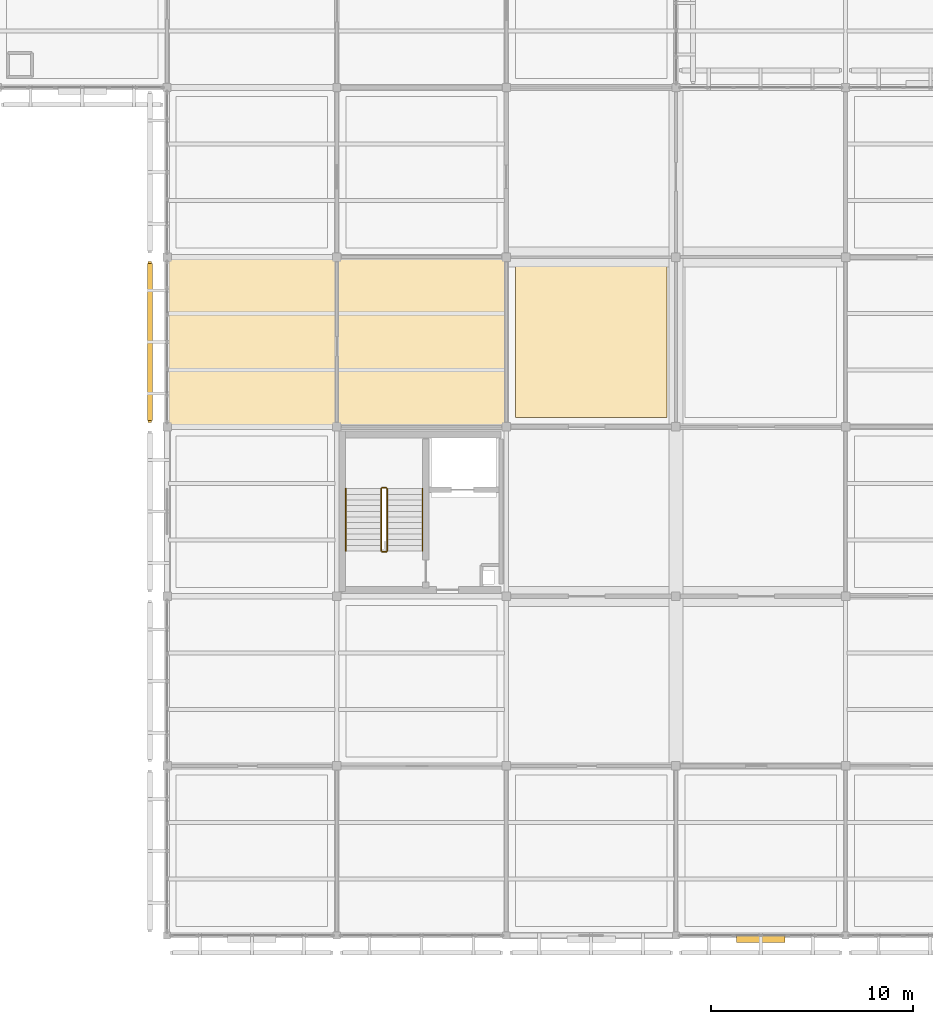
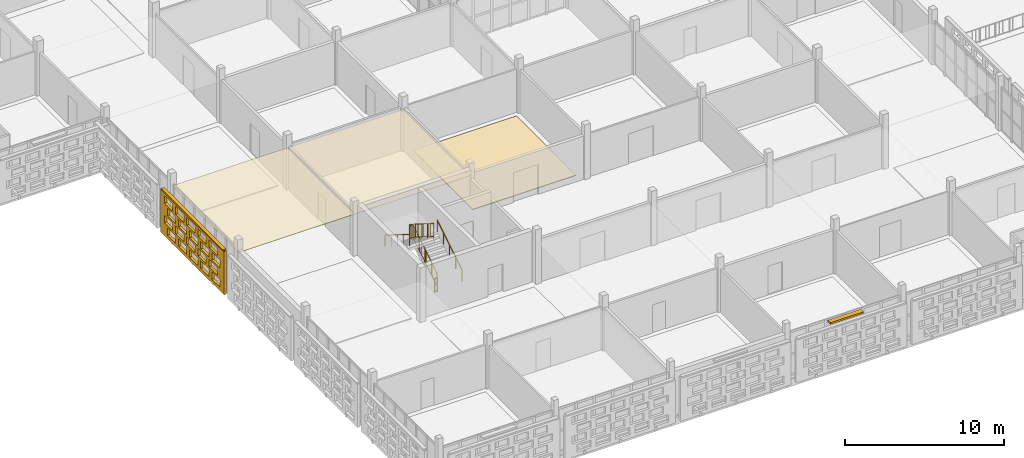
# One storey, part 115 of 166: 6 railings, 4 coverings, 2 shading devices, 20 openings.
"""IFC4 building model written with IfcOpenShell, lengths in metres."""

from ifc_helpers import new_model, si_unit, direction, frame, frame_2d, origin, origin_2d, place, context, subcontext, project, spatial, rectangle, circle, extrude, material, layer, layer_set, type_object, element, save


model = new_model("IFC4")

# Units and contexts
model_context = context("Model", 3, precision=1e-05, world=origin(), true_north=direction((0.0, 1.0)))
body_context = subcontext(model_context, "Body", "Model", "MODEL_VIEW")
ifc_project = project(units=[si_unit("LENGTHUNIT", "METRE"), si_unit("AREAUNIT", "SQUARE_METRE"), si_unit("VOLUMEUNIT", "CUBIC_METRE"), si_unit("PLANEANGLEUNIT", "RADIAN"), si_unit("MASSUNIT", "GRAM", prefix="KILO")], contexts=[model_context])

# Site, building, storey
site_placement = place(None, origin())
site = spatial("IfcSite", under=ifc_project, at=site_placement, CompositionType="ELEMENT")
building_placement = place(site_placement, origin())
building = spatial("IfcBuilding", under=site, at=building_placement, Name="Varnapada Polytechnic", CompositionType="ELEMENT")
storey_placement = place(building_placement, frame((0.0, 0.0, 9.60009765625)))
storey = spatial("IfcBuildingStorey", under=building, at=storey_placement, Name="L02", CompositionType="ELEMENT", Elevation=9.60009765625)

# Covering
ifc_material_1 = material(Name="End-Grain Timber Studio Block Flooring", Category="wood")
ifc_layer_1 = layer(ifc_material_1, 0.054931640625)
ifc_layer_set_1 = layer_set([ifc_layer_1], Name="End-Grain Timber Studio Block Flooring")
covering_type_1 = type_object("IfcCoveringType", Name="Floor Finish FLR-04", PredefinedType="FLOORING", material=ifc_layer_set_1)
covering_1_placement = place(storey_placement, frame((29.39990234375, 29.39990234375, 0.0), z_axis=(0.0, 0.0, 1.0), x_axis=(1.0, 0.0, 0.0)))
element("IfcCovering", 1, at=covering_1_placement, inside=storey, type_object=covering_type_1, Name="L02 floor finish panel (4,4)", PredefinedType="FLOORING", context=body_context, shape_type="SweptSolid", body=[
    extrude(rectangle(XDim=7.5, YDim=7.5, at=origin_2d()), origin(), (0.0, 0.0, 1.0), 0.054931640625),
])

# Shading device
ifc_material_2 = material(Name="Anodised aluminium", Category="aluminium")
ifc_layer_2 = layer(ifc_material_2, 0.35009765625)
ifc_layer_set_2 = layer_set([ifc_layer_2], Name="Anodised aluminium")
shading_device_type_1 = type_object("IfcShadingDeviceType", Name="Solar Louvre LVR-01", PredefinedType="JALOUSIE", material=ifc_layer_set_2)
shading_device_1_placement = place(storey_placement, frame((37.800048828125, -0.179931640625, 3.159912109375), z_axis=(0.0, 0.0, 1.0), x_axis=(-1.0, 0.0, 0.0)))
element("IfcShadingDevice", 2, at=shading_device_1_placement, inside=storey, type_object=shading_device_type_1, Name="L02 aluminium sun louvre 34", PredefinedType="JALOUSIE", context=body_context, shape_type="SweptSolid", body=[
    extrude(rectangle(XDim=2.39990234375, YDim=0.340087890625, at=origin_2d()), origin(), (0.0, 0.0, 1.0), 0.1201171875),
])

# Railings
ifc_material_3 = material(Name="Brushed Stainless Steel 316", Category="steel")
railing_type_1 = type_object("IfcRailingType", Name="Stair Wall Handrail SHR-01", PredefinedType="HANDRAIL", material=ifc_material_3)
railing_1_placement = place(storey_placement, frame((21.050048828125, 19.050048828125, 0.1748046875)))
element("IfcRailing", 3, at=railing_1_placement, inside=storey, type_object=railing_type_1, Name="L02 ST-3 stair handrail 1", PredefinedType="HANDRAIL", context=body_context, shape_type="SweptSolid", body=[
    extrude(circle(Radius=0.02392578125, at=origin_2d()), frame((0.0, 0.0, 0.8759765625), z_axis=(0.0, 0.847979421464, 0.530029150871), x_axis=(-1.0, 0.0, 0.0)), (0.0, 0.0, 1.0), 3.632080078125),
    extrude(circle(Radius=0.02099609375, at=origin_2d()), origin(), (0.0, 0.0, 1.0), 0.851806640625),
    extrude(circle(Radius=0.02099609375, at=origin_2d()), frame((0.0, 0.77001953125, 0.481201171875)), (0.0, 0.0, 1.0), 0.851806640625),
    extrude(circle(Radius=0.02099609375, at=origin_2d()), frame((0.0, 1.5400390625, 0.96240234375)), (0.0, 0.0, 1.0), 0.851806640625),
    extrude(circle(Radius=0.02099609375, at=origin_2d()), frame((0.0, 2.309814453125, 1.44384765625)), (0.0, 0.0, 1.0), 0.851806640625),
    extrude(circle(Radius=0.02099609375, at=origin_2d()), frame((0.0, 3.079833984375, 1.925048828125)), (0.0, 0.0, 1.0), 0.851806640625),
])
railing_2_placement = place(storey_placement, frame((17.25, 22.1298828125, 2.27490234375)))
element("IfcRailing", 4, at=railing_2_placement, inside=storey, type_object=railing_type_1, Name="L02 ST-3 stair handrail 2", PredefinedType="HANDRAIL", context=body_context, shape_type="SweptSolid", body=[
    extrude(circle(Radius=0.02392578125, at=origin_2d()), frame((0.0, 0.0, 0.8759765625), z_axis=(0.0, -0.847979421464, 0.530029150871), x_axis=(1.0, 0.0, 0.0)), (0.0, 0.0, 1.0), 3.632080078125),
    extrude(circle(Radius=0.02099609375, at=origin_2d()), origin(), (0.0, 0.0, 1.0), 0.851806640625),
    extrude(circle(Radius=0.02099609375, at=origin_2d()), frame((0.0, -0.77001953125, 0.481201171875)), (0.0, 0.0, 1.0), 0.851806640625),
    extrude(circle(Radius=0.02099609375, at=origin_2d()), frame((0.0, -1.5400390625, 0.96240234375)), (0.0, 0.0, 1.0), 0.851806640625),
    extrude(circle(Radius=0.02099609375, at=origin_2d()), frame((0.0, -2.309814453125, 1.44384765625)), (0.0, 0.0, 1.0), 0.851806640625),
    extrude(circle(Radius=0.02099609375, at=origin_2d()), frame((0.0, -3.079833984375, 1.925048828125)), (0.0, 0.0, 1.0), 0.851806640625),
])
railing_type_2 = type_object("IfcRailingType", Name="Stair Well Guard Rail SGR-01", PredefinedType="BALUSTRADE", material=ifc_material_3)
railing_3_placement = place(storey_placement, frame((19.300048828125, 19.050048828125, 0.1748046875)))
element("IfcRailing", 5, at=railing_3_placement, inside=storey, type_object=railing_type_2, Name="L02 ST-3 stair guard 1", PredefinedType="BALUSTRADE", context=body_context, shape_type="SweptSolid", body=[
    extrude(circle(Radius=0.02392578125, at=origin_2d()), frame((0.0, 0.0, 1.09619140625), z_axis=(0.0, 0.847979421464, 0.530029150871), x_axis=(-1.0, 0.0, 0.0)), (0.0, 0.0, 1.0), 3.632080078125),
    extrude(circle(Radius=0.02392578125, at=origin_2d()), frame((0.0, 0.0, 0.10009765625), z_axis=(0.0, 0.847979421464, 0.530029150871), x_axis=(-1.0, 0.0, 0.0)), (0.0, 0.0, 1.0), 3.632080078125),
    extrude(circle(Radius=0.02099609375, at=origin_2d()), origin(), (0.0, 0.0, 1.0), 1.072021484375),
    extrude(circle(Radius=0.02099609375, at=origin_2d()), frame((0.0, 0.77001953125, 0.481201171875)), (0.0, 0.0, 1.0), 1.072021484375),
    extrude(circle(Radius=0.02099609375, at=origin_2d()), frame((0.0, 1.5400390625, 0.96240234375)), (0.0, 0.0, 1.0), 1.072021484375),
    extrude(circle(Radius=0.02099609375, at=origin_2d()), frame((0.0, 2.309814453125, 1.44384765625)), (0.0, 0.0, 1.0), 1.072021484375),
    extrude(circle(Radius=0.02099609375, at=origin_2d()), frame((0.0, 3.079833984375, 1.925048828125)), (0.0, 0.0, 1.0), 1.072021484375),
    extrude(circle(Radius=0.010009765625, at=origin_2d()), frame((0.0, 0.205322265625, 0.228515625)), (0.0, 0.0, 1.0), 0.971923828125),
    extrude(circle(Radius=0.010009765625, at=origin_2d()), frame((0.0, 0.41064453125, 0.356689453125)), (0.0, 0.0, 1.0), 0.971923828125),
    extrude(circle(Radius=0.010009765625, at=origin_2d()), frame((0.0, 0.615966796875, 0.485107421875)), (0.0, 0.0, 1.0), 0.971923828125),
    extrude(circle(Radius=0.010009765625, at=origin_2d()), frame((0.0, 0.8212890625, 0.613525390625)), (0.0, 0.0, 1.0), 0.971923828125),
    extrude(circle(Radius=0.010009765625, at=origin_2d()), frame((0.0, 1.026611328125, 0.74169921875)), (0.0, 0.0, 1.0), 0.971923828125),
    extrude(circle(Radius=0.010009765625, at=origin_2d()), frame((0.0, 1.23193359375, 0.8701171875)), (0.0, 0.0, 1.0), 0.971923828125),
    extrude(circle(Radius=0.010009765625, at=origin_2d()), frame((0.0, 1.437255859375, 0.99853515625)), (0.0, 0.0, 1.0), 0.971923828125),
    extrude(circle(Radius=0.010009765625, at=origin_2d()), frame((0.0, 1.642578125, 1.126708984375)), (0.0, 0.0, 1.0), 0.971923828125),
    extrude(circle(Radius=0.010009765625, at=origin_2d()), frame((0.0, 1.847900390625, 1.255126953125)), (0.0, 0.0, 1.0), 0.971923828125),
    extrude(circle(Radius=0.010009765625, at=origin_2d()), frame((0.0, 2.05322265625, 1.383544921875)), (0.0, 0.0, 1.0), 0.971923828125),
    extrude(circle(Radius=0.010009765625, at=origin_2d()), frame((0.0, 2.258544921875, 1.51171875)), (0.0, 0.0, 1.0), 0.971923828125),
    extrude(circle(Radius=0.010009765625, at=origin_2d()), frame((0.0, 2.4638671875, 1.64013671875)), (0.0, 0.0, 1.0), 0.971923828125),
    extrude(circle(Radius=0.010009765625, at=origin_2d()), frame((0.0, 2.669189453125, 1.7685546875)), (0.0, 0.0, 1.0), 0.971923828125),
    extrude(circle(Radius=0.010009765625, at=origin_2d()), frame((0.0, 2.87451171875, 1.896728515625)), (0.0, 0.0, 1.0), 0.971923828125),
])
railing_4_placement = place(storey_placement, frame((19.25, 22.179931640625, 2.099853515625)))
element("IfcRailing", 6, at=railing_4_placement, inside=storey, type_object=railing_type_2, Name="L02 ST-3 stair guard 2", PredefinedType="BALUSTRADE", context=body_context, shape_type="SweptSolid", body=[
    extrude(circle(Radius=0.02392578125, at=origin_2d()), frame((0.0, 0.0, 1.09619140625), z_axis=(-1.0, 0.0, 0.0), x_axis=(0.0, -1.0, 0.0)), (0.0, 0.0, 1.0), 0.199951171875),
    extrude(circle(Radius=0.02392578125, at=origin_2d()), frame((0.0, 0.0, 0.10009765625), z_axis=(-1.0, 0.0, 0.0), x_axis=(0.0, -1.0, 0.0)), (0.0, 0.0, 1.0), 0.199951171875),
    extrude(circle(Radius=0.02099609375, at=origin_2d()), origin(), (0.0, 0.0, 1.0), 1.072021484375),
    extrude(circle(Radius=0.02099609375, at=origin_2d()), frame((-0.199951171875, 0.0, 0.0)), (0.0, 0.0, 1.0), 1.072021484375),
])
railing_5_placement = place(storey_placement, frame((19.0, 22.1298828125, 2.27490234375)))
element("IfcRailing", 7, at=railing_5_placement, inside=storey, type_object=railing_type_2, Name="L02 ST-3 stair guard 3", PredefinedType="BALUSTRADE", context=body_context, shape_type="SweptSolid", body=[
    extrude(circle(Radius=0.02392578125, at=origin_2d()), frame((0.0, 0.0, 1.09619140625), z_axis=(0.0, -0.847979421464, 0.530029150871), x_axis=(1.0, 0.0, 0.0)), (0.0, 0.0, 1.0), 3.632080078125),
    extrude(circle(Radius=0.02392578125, at=origin_2d()), frame((0.0, 0.0, 0.10009765625), z_axis=(0.0, -0.847979421464, 0.530029150871), x_axis=(1.0, 0.0, 0.0)), (0.0, 0.0, 1.0), 3.632080078125),
    extrude(circle(Radius=0.02099609375, at=origin_2d()), origin(), (0.0, 0.0, 1.0), 1.072021484375),
    extrude(circle(Radius=0.02099609375, at=origin_2d()), frame((0.0, -0.77001953125, 0.481201171875)), (0.0, 0.0, 1.0), 1.072021484375),
    extrude(circle(Radius=0.02099609375, at=origin_2d()), frame((0.0, -1.5400390625, 0.96240234375)), (0.0, 0.0, 1.0), 1.072021484375),
    extrude(circle(Radius=0.02099609375, at=origin_2d()), frame((0.0, -2.309814453125, 1.44384765625)), (0.0, 0.0, 1.0), 1.072021484375),
    extrude(circle(Radius=0.02099609375, at=origin_2d()), frame((0.0, -3.079833984375, 1.925048828125)), (0.0, 0.0, 1.0), 1.072021484375),
    extrude(circle(Radius=0.010009765625, at=origin_2d()), frame((0.0, -0.205322265625, 0.228515625)), (0.0, 0.0, 1.0), 0.971923828125),
    extrude(circle(Radius=0.010009765625, at=origin_2d()), frame((0.0, -0.41064453125, 0.356689453125)), (0.0, 0.0, 1.0), 0.971923828125),
    extrude(circle(Radius=0.010009765625, at=origin_2d()), frame((0.0, -0.615966796875, 0.485107421875)), (0.0, 0.0, 1.0), 0.971923828125),
    extrude(circle(Radius=0.010009765625, at=origin_2d()), frame((0.0, -0.8212890625, 0.613525390625)), (0.0, 0.0, 1.0), 0.971923828125),
    extrude(circle(Radius=0.010009765625, at=origin_2d()), frame((0.0, -1.026611328125, 0.74169921875)), (0.0, 0.0, 1.0), 0.971923828125),
    extrude(circle(Radius=0.010009765625, at=origin_2d()), frame((0.0, -1.23193359375, 0.8701171875)), (0.0, 0.0, 1.0), 0.971923828125),
    extrude(circle(Radius=0.010009765625, at=origin_2d()), frame((0.0, -1.437255859375, 0.99853515625)), (0.0, 0.0, 1.0), 0.971923828125),
    extrude(circle(Radius=0.010009765625, at=origin_2d()), frame((0.0, -1.642578125, 1.126708984375)), (0.0, 0.0, 1.0), 0.971923828125),
    extrude(circle(Radius=0.010009765625, at=origin_2d()), frame((0.0, -1.847900390625, 1.255126953125)), (0.0, 0.0, 1.0), 0.971923828125),
    extrude(circle(Radius=0.010009765625, at=origin_2d()), frame((0.0, -2.05322265625, 1.383544921875)), (0.0, 0.0, 1.0), 0.971923828125),
    extrude(circle(Radius=0.010009765625, at=origin_2d()), frame((0.0, -2.258544921875, 1.51171875)), (0.0, 0.0, 1.0), 0.971923828125),
    extrude(circle(Radius=0.010009765625, at=origin_2d()), frame((0.0, -2.4638671875, 1.64013671875)), (0.0, 0.0, 1.0), 0.971923828125),
    extrude(circle(Radius=0.010009765625, at=origin_2d()), frame((0.0, -2.669189453125, 1.7685546875)), (0.0, 0.0, 1.0), 0.971923828125),
    extrude(circle(Radius=0.010009765625, at=origin_2d()), frame((0.0, -2.87451171875, 1.896728515625)), (0.0, 0.0, 1.0), 0.971923828125),
])
railing_6_placement = place(storey_placement, frame((19.25, 19.0, 0.0)))
element("IfcRailing", 8, at=railing_6_placement, inside=storey, type_object=railing_type_2, Name="L02 ST-3 stair guard 4", PredefinedType="BALUSTRADE", context=body_context, shape_type="SweptSolid", body=[
    extrude(circle(Radius=0.02392578125, at=origin_2d()), frame((0.0, 0.0, 1.09619140625), z_axis=(-1.0, 0.0, 0.0), x_axis=(0.0, -1.0, 0.0)), (0.0, 0.0, 1.0), 0.199951171875),
    extrude(circle(Radius=0.02392578125, at=origin_2d()), frame((0.0, 0.0, 0.10009765625), z_axis=(-1.0, 0.0, 0.0), x_axis=(0.0, -1.0, 0.0)), (0.0, 0.0, 1.0), 0.199951171875),
    extrude(circle(Radius=0.02099609375, at=origin_2d()), origin(), (0.0, 0.0, 1.0), 1.072021484375),
    extrude(circle(Radius=0.02099609375, at=origin_2d()), frame((-0.199951171875, 0.0, 0.0)), (0.0, 0.0, 1.0), 1.072021484375),
])

# Coverings
ifc_material_4 = material(Name="Mineral Fibre Acoustic Ceiling Tile")
ifc_layer_3 = layer(ifc_material_4, 0.0400390625)
ifc_layer_set_3 = layer_set([ifc_layer_3], Name="Mineral Fibre Acoustic Ceiling Tile")
covering_type_2 = type_object("IfcCoveringType", Name="Suspended Ceiling CLG-01", PredefinedType="CEILING", material=ifc_layer_set_3)
covering_2_placement = place(storey_placement, frame((12.60009765625, 29.39990234375, 3.02978515625), z_axis=(0.0, 0.0, 1.0), x_axis=(1.0, 0.0, 0.0)))
element("IfcCovering", 9, at=covering_2_placement, inside=storey, type_object=covering_type_2, Name="L02 suspended acoustic ceiling (2,4)", PredefinedType="CEILING", context=body_context, shape_type="SweptSolid", body=[
    extrude(rectangle(XDim=8.419921875, YDim=8.419921875, at=origin_2d()), origin(), (0.0, 0.0, 1.0), 0.0400390625),
])
ifc_material_5 = material(Name="Cleanroom Laboratory Metal Pan Ceiling")
ifc_layer_4 = layer(ifc_material_5, 0.034912109375)
ifc_layer_set_4 = layer_set([ifc_layer_4], Name="Cleanroom Laboratory Metal Pan Ceiling")
covering_type_3 = type_object("IfcCoveringType", Name="Suspended Ceiling CLG-06", PredefinedType="CEILING", material=ifc_layer_set_4)
covering_3_placement = place(storey_placement, frame((21.0, 29.39990234375, 3.0322265625), z_axis=(0.0, 0.0, 1.0), x_axis=(1.0, 0.0, 0.0)))
element("IfcCovering", 10, at=covering_3_placement, inside=storey, type_object=covering_type_3, Name="L02 suspended acoustic ceiling (3,4)", PredefinedType="CEILING", context=body_context, shape_type="SweptSolid", body=[
    extrude(rectangle(XDim=8.419921875, YDim=8.419921875, at=origin_2d()), origin(), (0.0, 0.0, 1.0), 0.034912109375),
])

# Covering, openings
ifc_material_6 = material(Name="Earth-toned architectural terracotta screen block", Category="masonry")
ifc_layer_5 = layer(ifc_material_6, 0.1201171875)
ifc_layer_set_5 = layer_set([ifc_layer_5], Name="Earth-toned architectural terracotta screen block")
covering_type_4 = type_object("IfcCoveringType", Name="Terracotta Screen Cladding CLD-01", PredefinedType="CLADDING", material=ifc_layer_set_5)
covering_4_placement = place(storey_placement, frame((7.550048828125, 25.409912109375, 0.0), z_axis=(0.0, 0.0, 1.0), x_axis=(0.0, 1.0, 0.0)))
covering_4 = element("IfcCovering", 11, at=covering_4_placement, inside=storey, type_object=covering_type_4, Name="L02 perforated terracotta block screen (17)", PredefinedType="CLADDING", context=body_context, shape_type="SweptSolid", body=[
    extrude(rectangle(XDim=7.97998046875, YDim=0.179931640625, at=frame_2d((3.989990234375, 0.0))), origin(), (0.0, 0.0, 1.0), 3.31982421875),
])
opening_1_placement = place(covering_4_placement, frame((0.489990234375, 0.0, 0.265625)))
element("IfcOpeningElement", 12, at=opening_1_placement, cuts=covering_4, Name="Screen perforation TBS-L02-016.1", PredefinedType="OPENING", context=body_context, shape_type="SweptSolid", body=[
    extrude(rectangle(XDim=1.0400390625, YDim=0.5810546875, at=frame_2d((0.52001953125, 0.29052734375))), frame((0.0, 0.099853515625, 0.0), z_axis=(0.0, -1.0, 0.0), x_axis=(1.0, 0.0, 0.0)), (0.0, 0.0, 1.0), 0.199951171875),
])
opening_2_placement = place(covering_4_placement, frame((1.889892578125, 0.0, 0.265625)))
element("IfcOpeningElement", 13, at=opening_2_placement, cuts=covering_4, Name="Screen perforation TBS-L02-016.2", PredefinedType="OPENING", context=body_context, shape_type="SweptSolid", body=[
    extrude(rectangle(XDim=1.0400390625, YDim=0.5810546875, at=frame_2d((0.52001953125, 0.29052734375))), frame((0.0, 0.099853515625, 0.0), z_axis=(0.0, -1.0, 0.0), x_axis=(1.0, 0.0, 0.0)), (0.0, 0.0, 1.0), 0.199951171875),
])
opening_3_placement = place(covering_4_placement, frame((3.2900390625, 0.0, 0.265625)))
element("IfcOpeningElement", 14, at=opening_3_placement, cuts=covering_4, Name="Screen perforation TBS-L02-016.3", PredefinedType="OPENING", context=body_context, shape_type="SweptSolid", body=[
    extrude(rectangle(XDim=1.0400390625, YDim=0.5810546875, at=frame_2d((0.52001953125, 0.29052734375))), frame((0.0, 0.099853515625, 0.0), z_axis=(0.0, -1.0, 0.0), x_axis=(1.0, 0.0, 0.0)), (0.0, 0.0, 1.0), 0.199951171875),
])
opening_4_placement = place(covering_4_placement, frame((4.68994140625, 0.0, 0.265625)))
element("IfcOpeningElement", 15, at=opening_4_placement, cuts=covering_4, Name="Screen perforation TBS-L02-016.4", PredefinedType="OPENING", context=body_context, shape_type="SweptSolid", body=[
    extrude(rectangle(XDim=1.0400390625, YDim=0.5810546875, at=frame_2d((0.52001953125, 0.29052734375))), frame((0.0, 0.099853515625, 0.0), z_axis=(0.0, -1.0, 0.0), x_axis=(1.0, 0.0, 0.0)), (0.0, 0.0, 1.0), 0.199951171875),
])
opening_5_placement = place(covering_4_placement, frame((6.090087890625, 0.0, 0.265625)))
element("IfcOpeningElement", 16, at=opening_5_placement, cuts=covering_4, Name="Screen perforation TBS-L02-016.5", PredefinedType="OPENING", context=body_context, shape_type="SweptSolid", body=[
    extrude(rectangle(XDim=1.0400390625, YDim=0.5810546875, at=frame_2d((0.52001953125, 0.29052734375))), frame((0.0, 0.099853515625, 0.0), z_axis=(0.0, -1.0, 0.0), x_axis=(1.0, 0.0, 0.0)), (0.0, 0.0, 1.0), 0.199951171875),
])
opening_6_placement = place(covering_4_placement, frame((0.85009765625, 0.0, 1.0126953125)))
element("IfcOpeningElement", 17, at=opening_6_placement, cuts=covering_4, Name="Screen perforation TBS-L02-016.6", PredefinedType="OPENING", context=body_context, shape_type="SweptSolid", body=[
    extrude(rectangle(XDim=1.0400390625, YDim=0.5810546875, at=frame_2d((0.52001953125, 0.29052734375))), frame((0.0, 0.099853515625, 0.0), z_axis=(0.0, -1.0, 0.0), x_axis=(1.0, 0.0, 0.0)), (0.0, 0.0, 1.0), 0.199951171875),
])
opening_7_placement = place(covering_4_placement, frame((2.25, 0.0, 1.0126953125)))
element("IfcOpeningElement", 18, at=opening_7_placement, cuts=covering_4, Name="Screen perforation TBS-L02-016.7", PredefinedType="OPENING", context=body_context, shape_type="SweptSolid", body=[
    extrude(rectangle(XDim=1.0400390625, YDim=0.5810546875, at=frame_2d((0.52001953125, 0.29052734375))), frame((0.0, 0.099853515625, 0.0), z_axis=(0.0, -1.0, 0.0), x_axis=(1.0, 0.0, 0.0)), (0.0, 0.0, 1.0), 0.199951171875),
])
opening_8_placement = place(covering_4_placement, frame((3.64990234375, 0.0, 1.0126953125)))
element("IfcOpeningElement", 19, at=opening_8_placement, cuts=covering_4, Name="Screen perforation TBS-L02-016.8", PredefinedType="OPENING", context=body_context, shape_type="SweptSolid", body=[
    extrude(rectangle(XDim=1.0400390625, YDim=0.5810546875, at=frame_2d((0.52001953125, 0.29052734375))), frame((0.0, 0.099853515625, 0.0), z_axis=(0.0, -1.0, 0.0), x_axis=(1.0, 0.0, 0.0)), (0.0, 0.0, 1.0), 0.199951171875),
])
opening_9_placement = place(covering_4_placement, frame((5.050048828125, 0.0, 1.0126953125)))
element("IfcOpeningElement", 20, at=opening_9_placement, cuts=covering_4, Name="Screen perforation TBS-L02-016.9", PredefinedType="OPENING", context=body_context, shape_type="SweptSolid", body=[
    extrude(rectangle(XDim=1.0400390625, YDim=0.5810546875, at=frame_2d((0.52001953125, 0.29052734375))), frame((0.0, 0.099853515625, 0.0), z_axis=(0.0, -1.0, 0.0), x_axis=(1.0, 0.0, 0.0)), (0.0, 0.0, 1.0), 0.199951171875),
])
opening_10_placement = place(covering_4_placement, frame((6.449951171875, 0.0, 1.0126953125)))
element("IfcOpeningElement", 21, at=opening_10_placement, cuts=covering_4, Name="Screen perforation TBS-L02-016.10", PredefinedType="OPENING", context=body_context, shape_type="SweptSolid", body=[
    extrude(rectangle(XDim=1.0400390625, YDim=0.5810546875, at=frame_2d((0.52001953125, 0.29052734375))), frame((0.0, 0.099853515625, 0.0), z_axis=(0.0, -1.0, 0.0), x_axis=(1.0, 0.0, 0.0)), (0.0, 0.0, 1.0), 0.199951171875),
])
opening_11_placement = place(covering_4_placement, frame((0.489990234375, 0.0, 1.759521484375)))
element("IfcOpeningElement", 22, at=opening_11_placement, cuts=covering_4, Name="Screen perforation TBS-L02-016.11", PredefinedType="OPENING", context=body_context, shape_type="SweptSolid", body=[
    extrude(rectangle(XDim=1.0400390625, YDim=0.5810546875, at=frame_2d((0.52001953125, 0.29052734375))), frame((0.0, 0.099853515625, 0.0), z_axis=(0.0, -1.0, 0.0), x_axis=(1.0, 0.0, 0.0)), (0.0, 0.0, 1.0), 0.199951171875),
])
opening_12_placement = place(covering_4_placement, frame((1.889892578125, 0.0, 1.759521484375)))
element("IfcOpeningElement", 23, at=opening_12_placement, cuts=covering_4, Name="Screen perforation TBS-L02-016.12", PredefinedType="OPENING", context=body_context, shape_type="SweptSolid", body=[
    extrude(rectangle(XDim=1.0400390625, YDim=0.5810546875, at=frame_2d((0.52001953125, 0.29052734375))), frame((0.0, 0.099853515625, 0.0), z_axis=(0.0, -1.0, 0.0), x_axis=(1.0, 0.0, 0.0)), (0.0, 0.0, 1.0), 0.199951171875),
])
opening_13_placement = place(covering_4_placement, frame((3.2900390625, 0.0, 1.759521484375)))
element("IfcOpeningElement", 24, at=opening_13_placement, cuts=covering_4, Name="Screen perforation TBS-L02-016.13", PredefinedType="OPENING", context=body_context, shape_type="SweptSolid", body=[
    extrude(rectangle(XDim=1.0400390625, YDim=0.5810546875, at=frame_2d((0.52001953125, 0.29052734375))), frame((0.0, 0.099853515625, 0.0), z_axis=(0.0, -1.0, 0.0), x_axis=(1.0, 0.0, 0.0)), (0.0, 0.0, 1.0), 0.199951171875),
])
opening_14_placement = place(covering_4_placement, frame((4.68994140625, 0.0, 1.759521484375)))
element("IfcOpeningElement", 25, at=opening_14_placement, cuts=covering_4, Name="Screen perforation TBS-L02-016.14", PredefinedType="OPENING", context=body_context, shape_type="SweptSolid", body=[
    extrude(rectangle(XDim=1.0400390625, YDim=0.5810546875, at=frame_2d((0.52001953125, 0.29052734375))), frame((0.0, 0.099853515625, 0.0), z_axis=(0.0, -1.0, 0.0), x_axis=(1.0, 0.0, 0.0)), (0.0, 0.0, 1.0), 0.199951171875),
])
opening_15_placement = place(covering_4_placement, frame((6.090087890625, 0.0, 1.759521484375)))
element("IfcOpeningElement", 26, at=opening_15_placement, cuts=covering_4, Name="Screen perforation TBS-L02-016.15", PredefinedType="OPENING", context=body_context, shape_type="SweptSolid", body=[
    extrude(rectangle(XDim=1.0400390625, YDim=0.5810546875, at=frame_2d((0.52001953125, 0.29052734375))), frame((0.0, 0.099853515625, 0.0), z_axis=(0.0, -1.0, 0.0), x_axis=(1.0, 0.0, 0.0)), (0.0, 0.0, 1.0), 0.199951171875),
])
opening_16_placement = place(covering_4_placement, frame((0.85009765625, 0.0, 2.506591796875)))
element("IfcOpeningElement", 27, at=opening_16_placement, cuts=covering_4, Name="Screen perforation TBS-L02-016.16", PredefinedType="OPENING", context=body_context, shape_type="SweptSolid", body=[
    extrude(rectangle(XDim=1.0400390625, YDim=0.5810546875, at=frame_2d((0.52001953125, 0.29052734375))), frame((0.0, 0.099853515625, 0.0), z_axis=(0.0, -1.0, 0.0), x_axis=(1.0, 0.0, 0.0)), (0.0, 0.0, 1.0), 0.199951171875),
])
opening_17_placement = place(covering_4_placement, frame((2.25, 0.0, 2.506591796875)))
element("IfcOpeningElement", 28, at=opening_17_placement, cuts=covering_4, Name="Screen perforation TBS-L02-016.17", PredefinedType="OPENING", context=body_context, shape_type="SweptSolid", body=[
    extrude(rectangle(XDim=1.0400390625, YDim=0.5810546875, at=frame_2d((0.52001953125, 0.29052734375))), frame((0.0, 0.099853515625, 0.0), z_axis=(0.0, -1.0, 0.0), x_axis=(1.0, 0.0, 0.0)), (0.0, 0.0, 1.0), 0.199951171875),
])
opening_18_placement = place(covering_4_placement, frame((3.64990234375, 0.0, 2.506591796875)))
element("IfcOpeningElement", 29, at=opening_18_placement, cuts=covering_4, Name="Screen perforation TBS-L02-016.18", PredefinedType="OPENING", context=body_context, shape_type="SweptSolid", body=[
    extrude(rectangle(XDim=1.0400390625, YDim=0.5810546875, at=frame_2d((0.52001953125, 0.29052734375))), frame((0.0, 0.099853515625, 0.0), z_axis=(0.0, -1.0, 0.0), x_axis=(1.0, 0.0, 0.0)), (0.0, 0.0, 1.0), 0.199951171875),
])
opening_19_placement = place(covering_4_placement, frame((5.050048828125, 0.0, 2.506591796875)))
element("IfcOpeningElement", 30, at=opening_19_placement, cuts=covering_4, Name="Screen perforation TBS-L02-016.19", PredefinedType="OPENING", context=body_context, shape_type="SweptSolid", body=[
    extrude(rectangle(XDim=1.0400390625, YDim=0.5810546875, at=frame_2d((0.52001953125, 0.29052734375))), frame((0.0, 0.099853515625, 0.0), z_axis=(0.0, -1.0, 0.0), x_axis=(1.0, 0.0, 0.0)), (0.0, 0.0, 1.0), 0.199951171875),
])
opening_20_placement = place(covering_4_placement, frame((6.449951171875, 0.0, 2.506591796875)))
element("IfcOpeningElement", 31, at=opening_20_placement, cuts=covering_4, Name="Screen perforation TBS-L02-016.20", PredefinedType="OPENING", context=body_context, shape_type="SweptSolid", body=[
    extrude(rectangle(XDim=1.0400390625, YDim=0.5810546875, at=frame_2d((0.52001953125, 0.29052734375))), frame((0.0, 0.099853515625, 0.0), z_axis=(0.0, -1.0, 0.0), x_axis=(1.0, 0.0, 0.0)), (0.0, 0.0, 1.0), 0.199951171875),
])

# Shading device
ifc_layer_6 = layer(ifc_material_6, 0.179931640625)
ifc_layer_set_6 = layer_set([ifc_layer_6], Name="Earth-toned architectural terracotta screen block")
shading_device_type_2 = type_object("IfcShadingDeviceType", Name="Terracotta Screen SCR-01", PredefinedType="USERDEFINED", material=ifc_layer_set_6)
shading_device_2_placement = place(storey_placement, frame((7.550048828125, 29.39990234375, 3.309814453125), z_axis=(0.0, 0.0, 1.0), x_axis=(0.0, 1.0, 0.0)))
element("IfcShadingDevice", 32, at=shading_device_2_placement, inside=storey, type_object=shading_device_type_2, Name="L02 perforated terracotta screen hood 246", ObjectType="SCREEN", PredefinedType="USERDEFINED", context=body_context, shape_type="SweptSolid", body=[
    extrude(rectangle(XDim=7.780029296875, YDim=0.239990234375, at=origin_2d()), origin(), (0.0, 0.0, 1.0), 0.10009765625),
])

save(model, "model.ifc")
